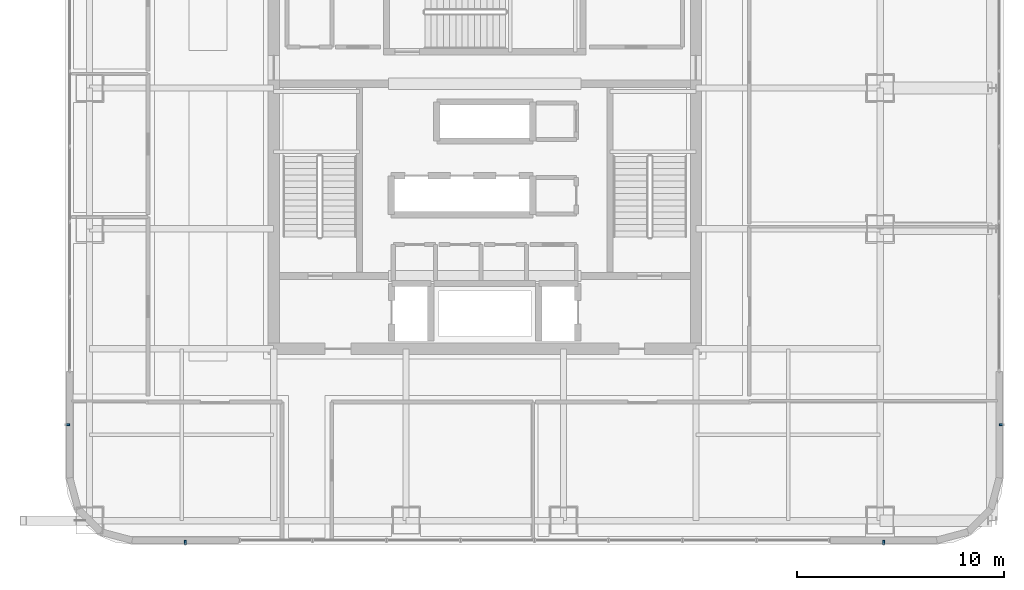
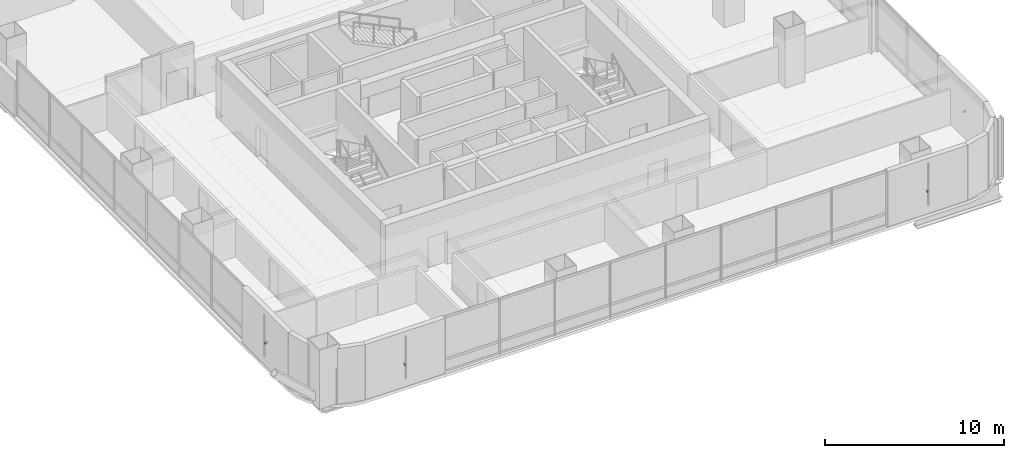
# One storey, part 39 of 51: 4 discrete accessories.
"""IFC4 building model written with IfcOpenShell, lengths in metres."""

from ifc_helpers import new_model, si_unit, direction, frame, origin, origin_2d, place, context, subcontext, project, spatial, rectangle, extrude, material, type_object, element, save


model = new_model("IFC4")

# Units and contexts
model_context = context("Model", 3, precision=1e-05, world=origin(), true_north=direction((0.0, 1.0)))
body_context = subcontext(model_context, "Body", "Model", "MODEL_VIEW")
ifc_project = project(units=[si_unit("LENGTHUNIT", "METRE"), si_unit("AREAUNIT", "SQUARE_METRE"), si_unit("VOLUMEUNIT", "CUBIC_METRE"), si_unit("PLANEANGLEUNIT", "RADIAN"), si_unit("MASSUNIT", "GRAM", prefix="KILO")], contexts=[model_context])

# Site, building, storey
site_placement = place(None, origin())
site = spatial("IfcSite", under=ifc_project, at=site_placement, CompositionType="ELEMENT")
building_placement = place(site_placement, origin())
building = spatial("IfcBuilding", under=site, at=building_placement, Name="Punatoya Terracotta Tower", CompositionType="ELEMENT")
storey_placement = place(building_placement, frame((0.0, 0.0, 279.75)))
storey = spatial("IfcBuildingStorey", under=building, at=storey_placement, Name="L66", CompositionType="ELEMENT", Elevation=279.75)

# Discrete accessories
ifc_material = material(Name="Steel S355", Category="steel")
discrete_accessory_type = type_object("IfcDiscreteAccessoryType", Name="ACC-BRK-220", PredefinedType="BRACKET", material=ifc_material)
for number, where, z_axis, x_axis, name in (
    (1, (-14.468505859375, -18.550048828125, 1.449951171875), (0.0, 0.0, 1.0), (1.0, 0.0, 0.0), "L66 Jali Fin Support Bracket S1"),
    (2, (19.2685546875, -18.550048828125, 1.449951171875), (0.0, 0.0, 1.0), (1.0, 0.0, 0.0), "L66 Jali Fin Support Bracket S2"),
    (3, (24.949951171875, -12.868408203125, 1.449951171875), (0.0, 0.0, 1.0), (0.0, 1.0, 0.0), "L66 Jali Fin Support Bracket E1"),
    (4, (-20.14990234375, -12.868408203125, 1.449951171875), (0.0, 0.0, 1.0), (0.0, -1.0, 0.0), "L66 Jali Fin Support Bracket W2"),
):
    element("IfcDiscreteAccessory", number, at=place(storey_placement, frame(where, z_axis=z_axis, x_axis=x_axis)), inside=storey, type_object=discrete_accessory_type, Name=name, PredefinedType="BRACKET", context=body_context, shape_type="SweptSolid", body=[
        extrude(rectangle(XDim=0.090087890625, YDim=0.219970703125, at=origin_2d()), origin(), (0.0, 0.0, 1.0), 0.10009765625),
    ])

save(model, "model.ifc")
